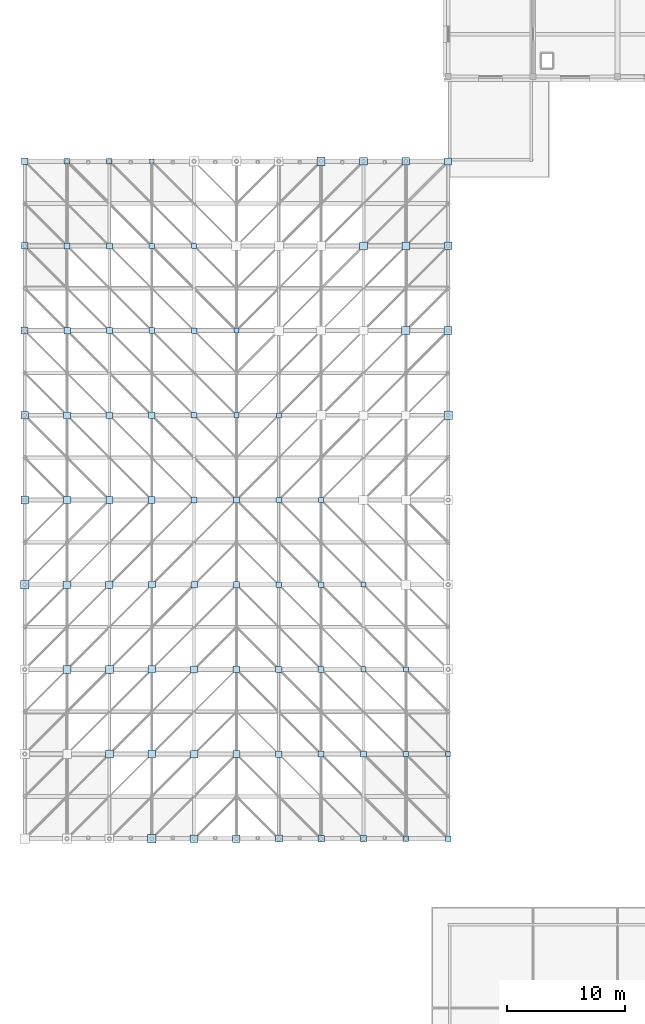
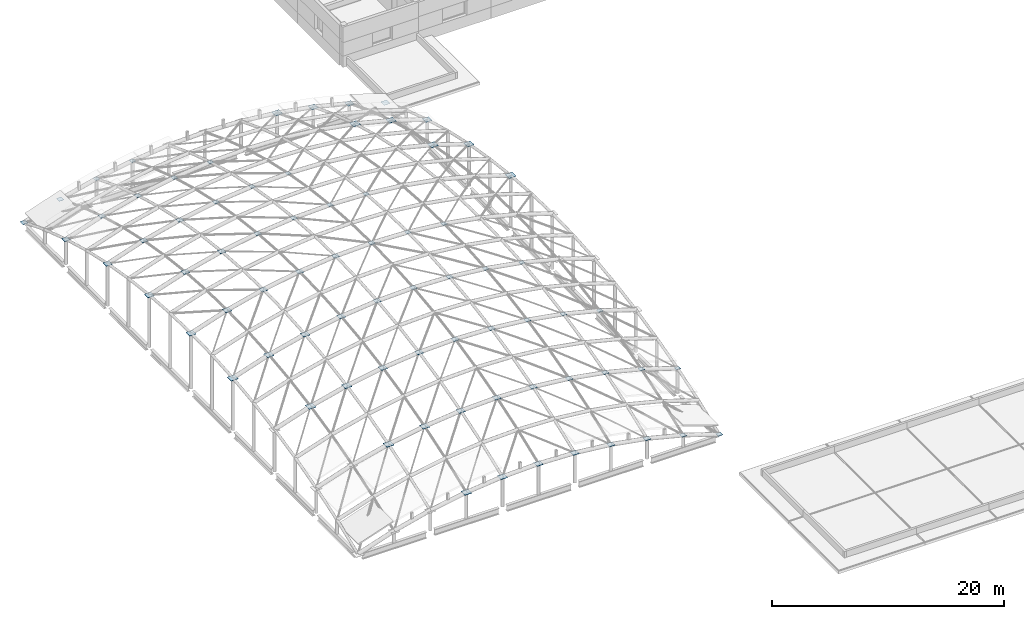
# One storey, part 29 of 40: 75 plates.
"""IFC4 building model written with IfcOpenShell, lengths in metres."""

import ifcopenshell
import ifcopenshell.guid

model = None  # the IFC model being written
_history = None  # IfcOwnerHistory: only IFC2X3 demands one
_inside = {}  # id of a spatial element -> (the spatial element, [elements in it])
_under = {}  # id of a project, library or spatial element -> (it, [spatial elements below it])
_declared = {}  # id of a project -> (the project, [libraries it declares])
_typed = {}  # id of a type object -> (the type object, [elements of that type])
_made_of = {}  # id of a material, layer set ... -> (it, [elements and type objects made of it])


def new_model(schema):
    """Start an empty IFC model of exactly this schema.

    Asked for "IFC4X3", IfcOpenShell would pick the latest addendum, in which some entities
    have other attributes; the version numbers below select the first issue.
    IFC2X3 requires an IfcOwnerHistory on every rooted entity: one is made here for all.
    """
    global model, _history
    if schema == "IFC4X3":
        model = ifcopenshell.file(schema_version=(4, 3, 0, 0))
    else:
        model = ifcopenshell.file(schema=schema)
    _inside.clear()
    _under.clear()
    _declared.clear()
    _typed.clear()
    _made_of.clear()
    _history = None
    if model.schema == "IFC2X3":
        org = make("IfcOrganization", Name="unknown")
        user = make(
            "IfcPersonAndOrganization",
            ThePerson=make("IfcPerson", FamilyName="unknown"),
            TheOrganization=org,
        )
        app = make(
            "IfcApplication",
            ApplicationDeveloper=org,
            Version="unknown",
            ApplicationFullName="unknown",
            ApplicationIdentifier="unknown",
        )
        _history = make(
            "IfcOwnerHistory",
            OwningUser=user,
            OwningApplication=app,
            ChangeAction="ADDED",
            CreationDate=0,
        )
    return model


def make(cls, **values):
    """One entity of the class cls with the attributes given. An attribute that is None is left unset."""
    return model.create_entity(
        cls, **{name: value for name, value in values.items() if value is not None}
    )


def rooted(cls, **values):
    """An entity with a GlobalId (a new one), such as an element, a storey or a relation."""
    return make(cls, GlobalId=ifcopenshell.guid.new(), OwnerHistory=_history, **values)


def si_unit(unit_type, name, prefix=None):
    """IfcSIUnit, for example si_unit("LENGTHUNIT", "METRE", prefix="MILLI")."""
    return make("IfcSIUnit", UnitType=unit_type, Prefix=prefix, Name=name)


def assignment(units):
    """IfcUnitAssignment: the units of a project."""
    return None if units is None else make("IfcUnitAssignment", Units=units)


def point(xyz):
    """IfcCartesianPoint."""
    return None if xyz is None else make("IfcCartesianPoint", Coordinates=xyz)


def direction(xyz):
    """IfcDirection."""
    return None if xyz is None else make("IfcDirection", DirectionRatios=xyz)


def frame(location, z_axis=None, x_axis=None):
    """IfcAxis2Placement3D, a coordinate frame: its origin and axes. An axis left out is left unset."""
    return make(
        "IfcAxis2Placement3D",
        Location=point(location),
        Axis=direction(z_axis),
        RefDirection=direction(x_axis),
    )


def frame_2d(location, x_axis=None):
    """IfcAxis2Placement2D, a coordinate frame in the plane: its origin and x axis."""
    return make(
        "IfcAxis2Placement2D", Location=point(location), RefDirection=direction(x_axis)
    )


def origin():
    """The frame at (0, 0, 0) with its axes left unset."""
    return frame((0.0, 0.0, 0.0))


def origin_2d():
    """The frame at (0, 0) in the plane with its x axis left unset."""
    return frame_2d((0.0, 0.0))


def place(relative_to, where):
    """IfcLocalPlacement: puts the frame where relative to a parent placement (None: the world)."""
    return make(
        "IfcLocalPlacement", PlacementRelTo=relative_to, RelativePlacement=where
    )


def context(
    kind, dimensions, precision=None, world=None, true_north=None, identifier=None
):
    """IfcGeometricRepresentationContext, for example the 3D "Model" context."""
    return make(
        "IfcGeometricRepresentationContext",
        ContextIdentifier=identifier,
        ContextType=kind,
        CoordinateSpaceDimension=dimensions,
        Precision=precision,
        WorldCoordinateSystem=world,
        TrueNorth=true_north,
    )


def subcontext(parent, identifier, kind, view, scale=None):
    """IfcGeometricRepresentationSubContext, for example "Body" below "Model"."""
    return make(
        "IfcGeometricRepresentationSubContext",
        ContextIdentifier=identifier,
        ContextType=kind,
        ParentContext=parent,
        TargetScale=scale,
        TargetView=view,
    )


def project(units=None, contexts=None):
    """IfcProject with its units and contexts."""
    return rooted(
        "IfcProject",
        Name="project",
        RepresentationContexts=contexts,
        UnitsInContext=assignment(units),
    )


def spatial(cls, under=None, at=None, **own):
    """A site, building, storey or space (cls), placed at a placement, below another one or the project."""
    s = rooted(cls, ObjectPlacement=at, **own)
    if under is not None:
        _under.setdefault(under.id(), (under, []))[1].append(s)
    return s


def profile(cls, at=None, kind="AREA", **sizes):
    """A parametric profile (cls). Its sizes go by their IFC names, for example OverallWidth=200.0."""
    return make(cls, ProfileType=kind, Position=at, **sizes)


def rectangle(**sizes):
    """IfcRectangleProfileDef."""
    return profile("IfcRectangleProfileDef", **sizes)


def extrude(swept, where, along, depth):
    """IfcExtrudedAreaSolid: the profile swept, set in the frame where, extruded along a direction by depth."""
    return make(
        "IfcExtrudedAreaSolid",
        SweptArea=swept,
        Position=where,
        ExtrudedDirection=direction(along),
        Depth=depth,
    )


def shape(context_of_items, identifier, shape_type, items):
    """IfcShapeRepresentation: the items that make up one representation, for example the "Body"."""
    return make(
        "IfcShapeRepresentation",
        ContextOfItems=context_of_items,
        RepresentationIdentifier=identifier,
        RepresentationType=shape_type,
        Items=items,
    )


def material(Name=None, Category=None):
    """IfcMaterial."""
    return make("IfcMaterial", Name=Name, Category=Category)


def layer(
    of_material, thickness, ventilated=None, Name=None, Category=None, Priority=None
):
    """IfcMaterialLayer: one layer of a wall or slab, of a material (None: an air gap)."""
    return make(
        "IfcMaterialLayer",
        Material=of_material,
        LayerThickness=thickness,
        IsVentilated=ventilated,
        Name=Name,
        Category=Category,
        Priority=Priority,
    )


def layer_set(layers, Name=None):
    """IfcMaterialLayerSet."""
    return make("IfcMaterialLayerSet", MaterialLayers=layers, LayerSetName=Name)


def made_of(thing, what):
    """Note that an element or type object is made of a material, layer set ...; save() writes the relation."""
    if what is not None:
        _made_of.setdefault(what.id(), (what, []))[1].append(thing)
    return thing


def type_object(cls, material=None, **own):
    """A type object (cls), such as IfcWallType, which elements share."""
    return made_of(rooted(cls, **own), material)


def element(
    cls,
    number,
    at=None,
    inside=None,
    cuts=None,
    type_object=None,
    material=None,
    context=None,
    identifier="Body",
    shape_type=None,
    held_by="IfcProductDefinitionShape",
    body=None,
    shapes=None,
    **own,
):
    """One element of the class cls, such as IfcWall. Its Tag is "e" and its number.

    at: its placement. inside: the storey or other place that contains it. cuts: it is an
    opening in that element (IfcRelVoidsElement). A single representation is given by context,
    identifier, shape_type and body (its items); several are given by shapes. held_by: the class
    of the entity that holds the representations. save() writes the other relations.
    """
    e = rooted(cls, Tag="e%d" % number, ObjectPlacement=at, **own)
    if body is not None:
        shapes = [shape(context, identifier, shape_type, body)]
    if shapes is not None:
        e.Representation = make(held_by, Representations=shapes)
    if inside is not None:
        _inside.setdefault(inside.id(), (inside, []))[1].append(e)
    if cuts is not None:
        rooted(
            "IfcRelVoidsElement", RelatingBuildingElement=cuts, RelatedOpeningElement=e
        )
    if type_object is not None:
        _typed.setdefault(type_object.id(), (type_object, []))[1].append(e)
    return made_of(e, material)


def aggregate(whole, parts):
    """IfcRelAggregates: a whole, such as a stair, and the parts it consists of."""
    return rooted("IfcRelAggregates", RelatingObject=whole, RelatedObjects=parts)


def save(model, path):
    """Write the relations noted so far, then the file.

    IfcRelAggregates (storeys below a building ...), IfcRelContainedInSpatialStructure (elements
    in a storey), IfcRelDefinesByType, IfcRelAssociatesMaterial and IfcRelDeclares: one each for
    every whole, place, type object, material and project.
    """
    for whole, parts in _under.values():
        aggregate(whole, parts)
    for where, things in _inside.values():
        rooted(
            "IfcRelContainedInSpatialStructure",
            RelatedElements=things,
            RelatingStructure=where,
        )
    for kind, things in _typed.values():
        rooted("IfcRelDefinesByType", RelatedObjects=things, RelatingType=kind)
    for what, things in _made_of.values():
        rooted("IfcRelAssociatesMaterial", RelatedObjects=things, RelatingMaterial=what)
    for by, libraries in _declared.values():
        rooted("IfcRelDeclares", RelatingContext=by, RelatedDefinitions=libraries)
    model.write(path)


model = new_model("IFC4")

# Units and contexts
model_context = context("Model", 3, precision=1e-05, world=origin(), true_north=direction((0.0, 1.0)))
body_context = subcontext(model_context, "Body", "Model", "MODEL_VIEW")
ifc_project = project(units=[si_unit("LENGTHUNIT", "METRE"), si_unit("AREAUNIT", "SQUARE_METRE"), si_unit("VOLUMEUNIT", "CUBIC_METRE"), si_unit("PLANEANGLEUNIT", "RADIAN"), si_unit("MASSUNIT", "GRAM", prefix="KILO")], contexts=[model_context])

# Site, building, storey
site_placement = place(None, origin())
site = spatial("IfcSite", under=ifc_project, at=site_placement, CompositionType="ELEMENT")
building_placement = place(site_placement, origin())
building = spatial("IfcBuilding", under=site, at=building_placement, Name="Kavelor Marine Aquarium", CompositionType="ELEMENT")
storey_placement = place(building_placement, frame((0.0, 0.0, 17.639892578125)))
storey = spatial("IfcBuildingStorey", under=building, at=storey_placement, Name="L04", CompositionType="ELEMENT", Elevation=17.639892578125)

# Plates
ifc_material_1 = material(Name="Steel S355", Category="steel")
ifc_layer_1 = layer(ifc_material_1, 0.030029296875)
ifc_layer_set_1 = layer_set([ifc_layer_1], Name="PL-GP04")
plate_type_1 = type_object("IfcPlateType", Name="PL-GP04", PredefinedType="SHEET", material=ifc_layer_set_1)
for number, where, z_axis, x_axis, name in (
    (1, (3.199951171875, 46.0, 5.421875), (0.0, 0.0, 1.0), (1.0, 0.0, 0.0), "gs:gusset:00_06"),
    (2, (6.800048828125, 38.800048828125, 5.5478515625), (0.0, 0.0, 1.0), (1.0, 0.0, 0.0), "gs:gusset:01_04"),
    (3, (10.39990234375, 31.60009765625, 4.65478515625), (0.0, 0.0, 1.0), (1.0, 0.0, 0.0), "gs:gusset:02_02"),
    (4, (14.0, 24.39990234375, 2.69921875), (0.0, 0.0, 1.0), (1.0, 0.0, 0.0), "gs:gusset:03_00"),
    (5, (28.39990234375, 82.0, 2.69921875), (0.0, 0.0, 1.0), (1.0, 0.0, 0.0), "gs:gusset:07_16"),
    (6, (32.0, 74.800048828125, 4.65478515625), (0.0, 0.0, 1.0), (1.0, 0.0, 0.0), "gs:gusset:08_14"),
    (7, (35.60009765625, 67.60009765625, 5.5478515625), (0.0, 0.0, 1.0), (1.0, 0.0, 0.0), "gs:gusset:09_12"),
    (8, (39.199951171875, 60.39990234375, 5.421875), (0.0, 0.0, 1.0), (1.0, 0.0, 0.0), "gs:gusset:10_10"),
):
    element("IfcPlate", number, at=place(storey_placement, frame(where, z_axis=z_axis, x_axis=x_axis)), inside=storey, type_object=plate_type_1, Name=name, PredefinedType="SHEET", context=body_context, shape_type="SweptSolid", body=[
        extrude(rectangle(XDim=0.699951171875, YDim=0.699951171875, at=origin_2d()), origin(), (0.0, 0.0, 1.0), 0.030029296875),
    ])
ifc_material_2 = material(Name="Steel S355", Category="steel")
ifc_layer_2 = layer(ifc_material_2, 0.028564453125)
ifc_layer_set_2 = layer_set([ifc_layer_2], Name="PL-GP05")
plate_type_2 = type_object("IfcPlateType", Name="PL-GP05", PredefinedType="SHEET", material=ifc_layer_set_2)
for number, where, z_axis, x_axis, name in (
    (9, (3.199951171875, 53.199951171875, 5.77099609375), (0.0, 0.0, 1.0), (1.0, 0.0, 0.0), "gs:gusset:00_08"),
    (10, (6.800048828125, 46.0, 6.60400390625), (0.0, 0.0, 1.0), (1.0, 0.0, 0.0), "gs:gusset:01_06"),
    (11, (10.39990234375, 38.800048828125, 6.44873046875), (0.0, 0.0, 1.0), (1.0, 0.0, 0.0), "gs:gusset:02_04"),
    (12, (14.0, 31.60009765625, 5.28857421875), (0.0, 0.0, 1.0), (1.0, 0.0, 0.0), "gs:gusset:03_02"),
    (13, (17.60009765625, 24.39990234375, 3.07568359375), (0.0, 0.0, 1.0), (1.0, 0.0, 0.0), "gs:gusset:04_00"),
    (14, (32.0, 82.0, 2.06689453125), (0.0, 0.0, 1.0), (1.0, 0.0, 0.0), "gs:gusset:08_16"),
    (15, (35.60009765625, 74.800048828125, 3.755859375), (0.0, 0.0, 1.0), (1.0, 0.0, 0.0), "gs:gusset:09_14"),
    (16, (39.199951171875, 67.60009765625, 4.36767578125), (0.0, 0.0, 1.0), (1.0, 0.0, 0.0), "gs:gusset:10_12"),
):
    element("IfcPlate", number, at=place(storey_placement, frame(where, z_axis=z_axis, x_axis=x_axis)), inside=storey, type_object=plate_type_2, Name=name, PredefinedType="SHEET", context=body_context, shape_type="SweptSolid", body=[
        extrude(rectangle(XDim=0.6650390625, YDim=0.6650390625, at=origin_2d()), origin(), (0.0, 0.0, 1.0), 0.028564453125),
    ])
ifc_material_3 = material(Name="Steel S355", Category="steel")
ifc_layer_3 = layer(ifc_material_3, 0.027099609375)
ifc_layer_set_3 = layer_set([ifc_layer_3], Name="PL-GP06")
plate_type_3 = type_object("IfcPlateType", Name="PL-GP06", PredefinedType="SHEET", material=ifc_layer_set_3)
for number, where, z_axis, x_axis, name in (
    (17, (3.199951171875, 60.39990234375, 5.42333984375), (0.0, 0.0, 1.0), (1.0, 0.0, 0.0), "gs:gusset:00_10"),
    (18, (6.800048828125, 53.199951171875, 6.953125), (0.0, 0.0, 1.0), (1.0, 0.0, 0.0), "gs:gusset:01_08"),
    (19, (10.39990234375, 46.0, 7.50439453125), (0.0, 0.0, 1.0), (1.0, 0.0, 0.0), "gs:gusset:02_06"),
    (20, (14.0, 38.800048828125, 7.08203125), (0.0, 0.0, 1.0), (1.0, 0.0, 0.0), "gs:gusset:03_04"),
    (21, (17.60009765625, 31.60009765625, 5.66552734375), (0.0, 0.0, 1.0), (1.0, 0.0, 0.0), "gs:gusset:04_02"),
    (22, (21.199951171875, 24.39990234375, 3.201171875), (0.0, 0.0, 1.0), (1.0, 0.0, 0.0), "gs:gusset:05_00"),
    (23, (35.60009765625, 82.0, 1.16748046875), (0.0, 0.0, 1.0), (1.0, 0.0, 0.0), "gs:gusset:09_16"),
    (24, (39.199951171875, 74.800048828125, 2.5751953125), (0.0, 0.0, 1.0), (1.0, 0.0, 0.0), "gs:gusset:10_14"),
):
    element("IfcPlate", number, at=place(storey_placement, frame(where, z_axis=z_axis, x_axis=x_axis)), inside=storey, type_object=plate_type_3, Name=name, PredefinedType="SHEET", context=body_context, shape_type="SweptSolid", body=[
        extrude(rectangle(XDim=0.6298828125, YDim=0.6298828125, at=origin_2d()), origin(), (0.0, 0.0, 1.0), 0.027099609375),
    ])
ifc_material_4 = material(Name="Steel S355", Category="steel")
ifc_layer_4 = layer(ifc_material_4, 0.025390625)
ifc_layer_set_4 = layer_set([ifc_layer_4], Name="PL-GP07")
plate_type_4 = type_object("IfcPlateType", Name="PL-GP07", PredefinedType="SHEET", material=ifc_layer_set_4)
for number, where, z_axis, x_axis, name in (
    (25, (3.199951171875, 67.60009765625, 4.369140625), (0.0, 0.0, 1.0), (1.0, 0.0, 0.0), "gs:gusset:00_12"),
    (26, (6.800048828125, 60.39990234375, 6.60546875), (0.0, 0.0, 1.0), (1.0, 0.0, 0.0), "gs:gusset:01_10"),
    (27, (10.39990234375, 53.199951171875, 7.853515625), (0.0, 0.0, 1.0), (1.0, 0.0, 0.0), "gs:gusset:02_08"),
    (28, (14.0, 46.0, 8.13818359375), (0.0, 0.0, 1.0), (1.0, 0.0, 0.0), "gs:gusset:03_06"),
    (29, (17.60009765625, 38.800048828125, 7.459228515625), (0.0, 0.0, 1.0), (1.0, 0.0, 0.0), "gs:gusset:04_04"),
    (30, (21.199951171875, 31.60009765625, 5.791015625), (0.0, 0.0, 1.0), (1.0, 0.0, 0.0), "gs:gusset:05_02"),
    (31, (24.800048828125, 24.39990234375, 3.077392578125), (0.0, 0.0, 1.0), (1.0, 0.0, 0.0), "gs:gusset:06_00"),
    (32, (39.199951171875, 82.0, -0.0126953125), (0.0, 0.0, 1.0), (1.0, 0.0, 0.0), "gs:gusset:10_16"),
):
    element("IfcPlate", number, at=place(storey_placement, frame(where, z_axis=z_axis, x_axis=x_axis)), inside=storey, type_object=plate_type_4, Name=name, PredefinedType="SHEET", context=body_context, shape_type="SweptSolid", body=[
        extrude(rectangle(XDim=0.594970703125, YDim=0.594970703125, at=origin_2d()), origin(), (0.0, 0.0, 1.0), 0.025390625),
    ])
ifc_material_5 = material(Name="Steel S355", Category="steel")
ifc_layer_5 = layer(ifc_material_5, 0.02392578125)
ifc_layer_set_5 = layer_set([ifc_layer_5], Name="PL-GP08")
plate_type_5 = type_object("IfcPlateType", Name="PL-GP08", PredefinedType="SHEET", material=ifc_layer_set_5)
for number, where, z_axis, x_axis, name in (
    (33, (3.199951171875, 74.800048828125, 2.576904296875), (0.0, 0.0, 1.0), (1.0, 0.0, 0.0), "gs:gusset:00_14"),
    (34, (6.800048828125, 67.60009765625, 5.551025390625), (0.0, 0.0, 1.0), (1.0, 0.0, 0.0), "gs:gusset:01_12"),
    (35, (10.39990234375, 60.39990234375, 7.505859375), (0.0, 0.0, 1.0), (1.0, 0.0, 0.0), "gs:gusset:02_10"),
    (36, (14.0, 53.199951171875, 8.4873046875), (0.0, 0.0, 1.0), (1.0, 0.0, 0.0), "gs:gusset:03_08"),
    (37, (17.60009765625, 46.0, 8.514892578125), (0.0, 0.0, 1.0), (1.0, 0.0, 0.0), "gs:gusset:04_06"),
    (38, (21.199951171875, 38.800048828125, 7.584716796875), (0.0, 0.0, 1.0), (1.0, 0.0, 0.0), "gs:gusset:05_04"),
    (39, (24.800048828125, 31.60009765625, 5.6669921875), (0.0, 0.0, 1.0), (1.0, 0.0, 0.0), "gs:gusset:06_02"),
    (40, (28.39990234375, 24.39990234375, 2.7021484375), (0.0, 0.0, 1.0), (1.0, 0.0, 0.0), "gs:gusset:07_00"),
):
    element("IfcPlate", number, at=place(storey_placement, frame(where, z_axis=z_axis, x_axis=x_axis)), inside=storey, type_object=plate_type_5, Name=name, PredefinedType="SHEET", context=body_context, shape_type="SweptSolid", body=[
        extrude(rectangle(XDim=0.56005859375, YDim=0.56005859375, at=origin_2d()), origin(), (0.0, 0.0, 1.0), 0.02392578125),
    ])
ifc_material_6 = material(Name="Steel S355", Category="steel")
ifc_layer_6 = layer(ifc_material_6, 0.0224609375)
ifc_layer_set_6 = layer_set([ifc_layer_6], Name="PL-GP09")
plate_type_6 = type_object("IfcPlateType", Name="PL-GP09", PredefinedType="SHEET", material=ifc_layer_set_6)
for number, where, z_axis, x_axis, name in (
    (41, (3.199951171875, 82.0, -0.01123046875), (0.0, 0.0, 1.0), (1.0, 0.0, 0.0), "gs:gusset:00_16"),
    (42, (6.800048828125, 74.800048828125, 3.7587890625), (0.0, 0.0, 1.0), (1.0, 0.0, 0.0), "gs:gusset:01_14"),
    (43, (10.39990234375, 67.60009765625, 6.45166015625), (0.0, 0.0, 1.0), (1.0, 0.0, 0.0), "gs:gusset:02_12"),
    (44, (14.0, 60.39990234375, 8.1396484375), (0.0, 0.0, 1.0), (1.0, 0.0, 0.0), "gs:gusset:03_10"),
    (45, (17.60009765625, 53.199951171875, 8.864013671875), (0.0, 0.0, 1.0), (1.0, 0.0, 0.0), "gs:gusset:04_08"),
    (46, (21.199951171875, 46.0, 8.640625), (0.0, 0.0, 1.0), (1.0, 0.0, 0.0), "gs:gusset:05_06"),
    (47, (24.800048828125, 38.800048828125, 7.460693359375), (0.0, 0.0, 1.0), (1.0, 0.0, 0.0), "gs:gusset:06_04"),
    (48, (28.39990234375, 31.60009765625, 5.29150390625), (0.0, 0.0, 1.0), (1.0, 0.0, 0.0), "gs:gusset:07_02"),
    (49, (32.0, 24.39990234375, 2.06982421875), (0.0, 0.0, 1.0), (1.0, 0.0, 0.0), "gs:gusset:08_00"),
):
    element("IfcPlate", number, at=place(storey_placement, frame(where, z_axis=z_axis, x_axis=x_axis)), inside=storey, type_object=plate_type_6, Name=name, PredefinedType="SHEET", context=body_context, shape_type="SweptSolid", body=[
        extrude(rectangle(XDim=0.52490234375, YDim=0.52490234375, at=origin_2d()), origin(), (0.0, 0.0, 1.0), 0.0224609375),
    ])
ifc_material_7 = material(Name="Steel S355", Category="steel")
ifc_layer_7 = layer(ifc_material_7, 0.02099609375)
ifc_layer_set_7 = layer_set([ifc_layer_7], Name="PL-GP10")
plate_type_7 = type_object("IfcPlateType", Name="PL-GP10", PredefinedType="SHEET", material=ifc_layer_set_7)
for number, where, z_axis, x_axis, name in (
    (50, (6.800048828125, 82.0, 1.170654296875), (0.0, 0.0, 1.0), (1.0, 0.0, 0.0), "gs:gusset:01_16"),
    (51, (10.39990234375, 74.800048828125, 4.6591796875), (0.0, 0.0, 1.0), (1.0, 0.0, 0.0), "gs:gusset:02_14"),
    (52, (14.0, 67.60009765625, 7.085205078125), (0.0, 0.0, 1.0), (1.0, 0.0, 0.0), "gs:gusset:03_12"),
    (53, (17.60009765625, 60.39990234375, 8.516357421875), (0.0, 0.0, 1.0), (1.0, 0.0, 0.0), "gs:gusset:04_10"),
    (54, (21.199951171875, 53.199951171875, 8.989501953125), (0.0, 0.0, 1.0), (1.0, 0.0, 0.0), "gs:gusset:05_08"),
    (55, (24.800048828125, 46.0, 8.516357421875), (0.0, 0.0, 1.0), (1.0, 0.0, 0.0), "gs:gusset:06_06"),
    (56, (28.39990234375, 38.800048828125, 7.085205078125), (0.0, 0.0, 1.0), (1.0, 0.0, 0.0), "gs:gusset:07_04"),
    (57, (32.0, 31.60009765625, 4.6591796875), (0.0, 0.0, 1.0), (1.0, 0.0, 0.0), "gs:gusset:08_02"),
    (58, (35.60009765625, 24.39990234375, 1.170654296875), (0.0, 0.0, 1.0), (1.0, 0.0, 0.0), "gs:gusset:09_00"),
):
    element("IfcPlate", number, at=place(storey_placement, frame(where, z_axis=z_axis, x_axis=x_axis)), inside=storey, type_object=plate_type_7, Name=name, PredefinedType="SHEET", context=body_context, shape_type="SweptSolid", body=[
        extrude(rectangle(XDim=0.489990234375, YDim=0.489990234375, at=origin_2d()), origin(), (0.0, 0.0, 1.0), 0.02099609375),
    ])
ifc_material_8 = material(Name="Steel S355", Category="steel")
ifc_layer_8 = layer(ifc_material_8, 0.01953125)
ifc_layer_set_8 = layer_set([ifc_layer_8], Name="PL-GP11")
plate_type_8 = type_object("IfcPlateType", Name="PL-GP11", PredefinedType="SHEET", material=ifc_layer_set_8)
for number, where, z_axis, x_axis, name in (
    (59, (10.39990234375, 82.0, 2.0712890625), (0.0, 0.0, 1.0), (1.0, 0.0, 0.0), "gs:gusset:02_16"),
    (60, (14.0, 74.800048828125, 5.29296875), (0.0, 0.0, 1.0), (1.0, 0.0, 0.0), "gs:gusset:03_14"),
    (61, (17.60009765625, 67.60009765625, 7.462158203125), (0.0, 0.0, 1.0), (1.0, 0.0, 0.0), "gs:gusset:04_12"),
    (62, (21.199951171875, 60.39990234375, 8.64208984375), (0.0, 0.0, 1.0), (1.0, 0.0, 0.0), "gs:gusset:05_10"),
    (63, (24.800048828125, 53.199951171875, 8.865478515625), (0.0, 0.0, 1.0), (1.0, 0.0, 0.0), "gs:gusset:06_08"),
    (64, (28.39990234375, 46.0, 8.14111328125), (0.0, 0.0, 1.0), (1.0, 0.0, 0.0), "gs:gusset:07_06"),
    (65, (32.0, 38.800048828125, 6.453125), (0.0, 0.0, 1.0), (1.0, 0.0, 0.0), "gs:gusset:08_04"),
    (66, (35.60009765625, 31.60009765625, 3.76025390625), (0.0, 0.0, 1.0), (1.0, 0.0, 0.0), "gs:gusset:09_02"),
    (67, (39.199951171875, 24.39990234375, -0.009765625), (0.0, 0.0, 1.0), (1.0, 0.0, 0.0), "gs:gusset:10_00"),
):
    element("IfcPlate", number, at=place(storey_placement, frame(where, z_axis=z_axis, x_axis=x_axis)), inside=storey, type_object=plate_type_8, Name=name, PredefinedType="SHEET", context=body_context, shape_type="SweptSolid", body=[
        extrude(rectangle(XDim=0.455078125, YDim=0.455078125, at=origin_2d()), origin(), (0.0, 0.0, 1.0), 0.01953125),
    ])
ifc_material_9 = material(Name="Steel S355", Category="steel")
ifc_layer_9 = layer(ifc_material_9, 0.01806640625)
ifc_layer_set_9 = layer_set([ifc_layer_9], Name="PL-GP12")
plate_type_9 = type_object("IfcPlateType", Name="PL-GP12", PredefinedType="SHEET", material=ifc_layer_set_9)
for number, where, z_axis, x_axis, name in (
    (68, (14.0, 82.0, 2.705078125), (0.0, 0.0, 1.0), (1.0, 0.0, 0.0), "gs:gusset:03_16"),
    (69, (17.60009765625, 74.800048828125, 5.669921875), (0.0, 0.0, 1.0), (1.0, 0.0, 0.0), "gs:gusset:04_14"),
    (70, (21.199951171875, 67.60009765625, 7.587646484375), (0.0, 0.0, 1.0), (1.0, 0.0, 0.0), "gs:gusset:05_12"),
    (71, (24.800048828125, 60.39990234375, 8.517822265625), (0.0, 0.0, 1.0), (1.0, 0.0, 0.0), "gs:gusset:06_10"),
    (72, (28.39990234375, 53.199951171875, 8.490234375), (0.0, 0.0, 1.0), (1.0, 0.0, 0.0), "gs:gusset:07_08"),
    (73, (32.0, 46.0, 7.5087890625), (0.0, 0.0, 1.0), (1.0, 0.0, 0.0), "gs:gusset:08_06"),
    (74, (35.60009765625, 38.800048828125, 5.553955078125), (0.0, 0.0, 1.0), (1.0, 0.0, 0.0), "gs:gusset:09_04"),
    (75, (39.199951171875, 31.60009765625, 2.579833984375), (0.0, 0.0, 1.0), (1.0, 0.0, 0.0), "gs:gusset:10_02"),
):
    element("IfcPlate", number, at=place(storey_placement, frame(where, z_axis=z_axis, x_axis=x_axis)), inside=storey, type_object=plate_type_9, Name=name, PredefinedType="SHEET", context=body_context, shape_type="SweptSolid", body=[
        extrude(rectangle(XDim=0.419921875, YDim=0.419921875, at=origin_2d()), origin(), (0.0, 0.0, 1.0), 0.01806640625),
    ])

save(model, "model.ifc")
